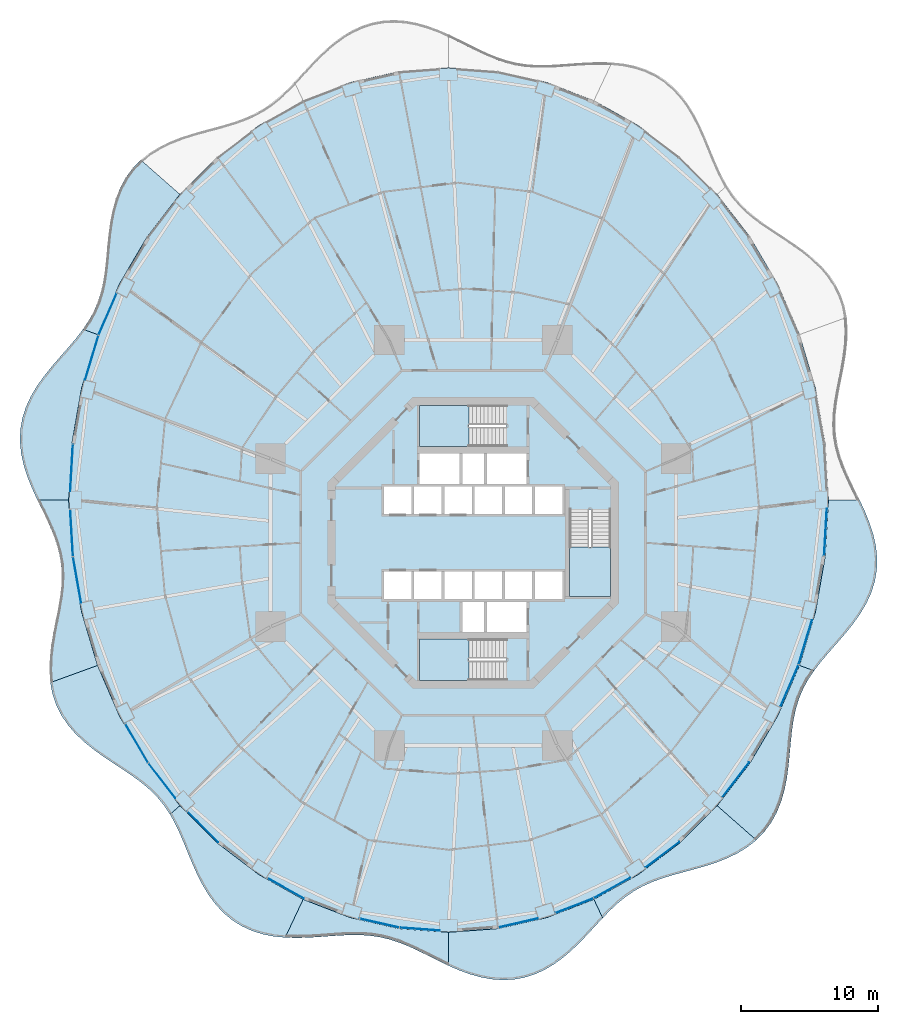
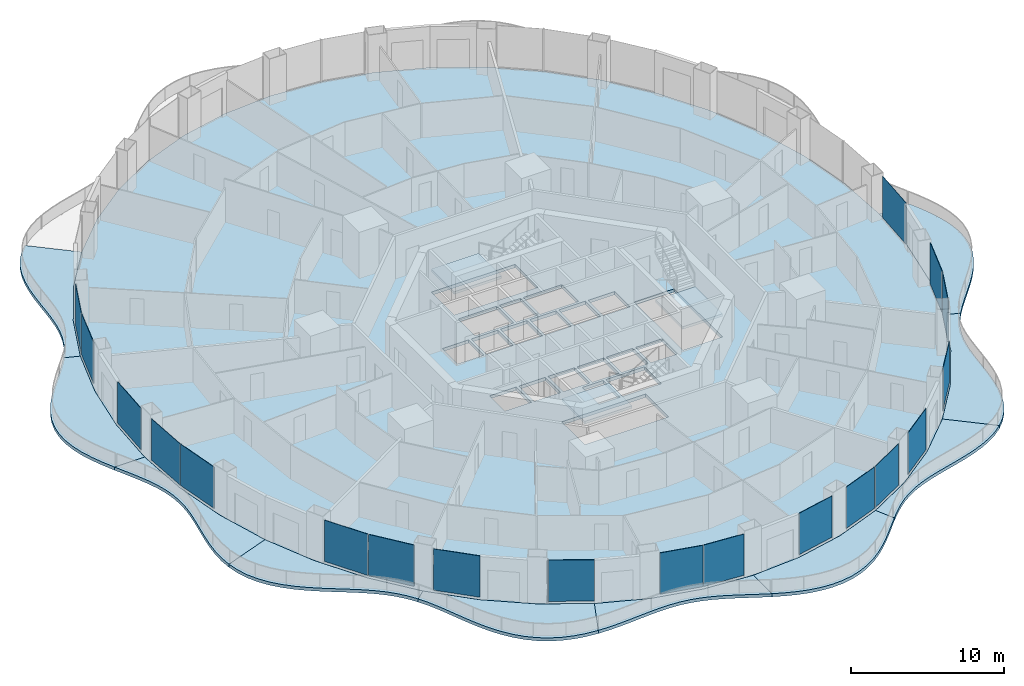
# One storey, part 12 of 22: 19 plates, 14 slabs, 22 elements without a shape of their own.
"""IFC4 building model written with IfcOpenShell, lengths in metres."""

from ifc_helpers import new_model, si_unit, direction, frame, origin, origin_2d, place, context, subcontext, project, spatial, polyline, rectangle, outline, extrude, material, layer, layer_set, type_object, element, aggregate, save


model = new_model("IFC4")

# Units and contexts
model_context = context("Model", 3, precision=1e-05, world=origin(), true_north=direction((0.0, 1.0)))
body_context = subcontext(model_context, "Body", "Model", "MODEL_VIEW")
ifc_project = project(units=[si_unit("LENGTHUNIT", "METRE"), si_unit("AREAUNIT", "SQUARE_METRE"), si_unit("VOLUMEUNIT", "CUBIC_METRE"), si_unit("PLANEANGLEUNIT", "RADIAN"), si_unit("MASSUNIT", "GRAM", prefix="KILO")], contexts=[model_context])

# Site, building, storey
site_placement = place(None, origin())
site = spatial("IfcSite", under=ifc_project, at=site_placement, CompositionType="ELEMENT")
building_placement = place(site_placement, origin())
building = spatial("IfcBuilding", under=site, at=building_placement, Name="Nagisa Residences", CompositionType="ELEMENT")
storey_placement = place(building_placement, frame((0.0, 0.0, 84.39990234375)))
storey = spatial("IfcBuildingStorey", under=building, at=storey_placement, Name="L20", CompositionType="ELEMENT", Elevation=84.39990234375)

# Slabs
ifc_material_1 = material(Name="Concrete C40/50", Category="concrete")
ifc_layer_1 = layer(ifc_material_1, 0.25)
ifc_layer_set_1 = layer_set([ifc_layer_1], Name="BALCONY SLAB 250")
slab_type_1 = type_object("IfcSlabType", Name="BALCONY SLAB 250", PredefinedType="FLOOR", material=ifc_layer_set_1)
slab_1_placement = place(storey_placement, frame((0.0, 0.0, -0.25)))
element("IfcSlab", 1, at=slab_1_placement, inside=storey, type_object=slab_type_1, Name="slab:L20:bal06", PredefinedType="FLOOR", context=body_context, shape_type="SweptSolid", body=[
    extrude(outline(polyline([(-24.234619140625, 27.90771484375), (-24.822265625, 27.30517578125), (-25.3212890625, 26.62890625), (-25.729248046875, 25.886962890625), (-26.048828125, 25.08984375), (-26.2880859375, 24.250732421875), (-26.459716796875, 23.384033203125), (-26.580078125, 22.504638671875), (-26.668701171875, 21.626708984375), (-26.746337890625, 20.762451171875), (-26.83447265625, 19.922607421875), (-26.952880859375, 19.113525390625), (-27.11865234375, 18.339599609375), (-27.3447265625, 17.601318359375), (-27.639892578125, 16.89599609375), (-28.006591796875, 16.21875), (-28.44189453125, 15.56201171875), (-27.386962890625, 15.177978515625), (-25.78466796875, 18.875244140625), (-23.77197265625, 22.302734375), (-21.38330078125, 25.402099609375), (-24.234619140625, 27.90771484375)])), origin(), (0.0, 0.0, 1.0), 0.25),
])
slab_2_placement = place(storey_placement, frame((0.0, 0.0, -0.25)))
element("IfcSlab", 2, at=slab_2_placement, inside=storey, type_object=slab_type_1, Name="slab:L20:bal07", PredefinedType="FLOOR", context=body_context, shape_type="SweptSolid", body=[
    extrude(outline(polyline([(-28.44189453125, 15.56201171875), (-28.95361328125, 14.896728515625), (-29.513916015625, 14.234130859375), (-30.102294921875, 13.564208984375), (-30.695068359375, 12.87841796875), (-31.266845703125, 12.169921875), (-31.7919921875, 11.433837890625), (-32.2470703125, 10.66845703125), (-32.611328125, 9.874267578125), (-32.869873046875, 9.054443359375), (-33.012939453125, 8.214111328125), (-33.038330078125, 7.360107421875), (-32.9501953125, 6.4990234375), (-32.759765625, 5.638671875), (-32.484130859375, 4.78515625), (-32.14453125, 3.94384765625), (-31.7666015625, 3.11767578125), (-29.4951171875, 3.11767578125), (-29.258056640625, 7.231201171875), (-28.55126953125, 11.2744140625), (-27.386962890625, 15.177978515625), (-28.44189453125, 15.56201171875)])), origin(), (0.0, 0.0, 1.0), 0.25),
])
slab_3_placement = place(storey_placement, frame((0.0, 0.0, -0.25)))
element("IfcSlab", 3, at=slab_3_placement, inside=storey, type_object=slab_type_1, Name="slab:L20:bal08", PredefinedType="FLOOR", context=body_context, shape_type="SweptSolid", body=[
    extrude(outline(polyline([(-31.7666015625, 3.11767578125), (-31.3759765625, 2.30810546875), (-30.99951171875, 1.513916015625), (-30.660400390625, 0.732177734375), (-30.379150390625, -0.042236328125), (-30.170166015625, -0.8154296875), (-30.042236328125, -1.593505859375), (-29.996826171875, -2.383056640625), (-30.028564453125, -3.189453125), (-30.1259765625, -4.01611328125), (-30.271240234375, -4.864990234375), (-30.442626953125, -5.734619140625), (-30.615478515625, -6.6220703125), (-30.763916015625, -7.520751953125), (-30.863037109375, -8.42236328125), (-30.89013671875, -9.3173828125), (-30.82666015625, -10.19482421875), (-27.386962890625, -8.942626953125), (-28.55126953125, -5.0390625), (-29.258056640625, -0.995849609375), (-29.4951171875, 3.11767578125), (-31.7666015625, 3.11767578125)])), origin(), (0.0, 0.0, 1.0), 0.25),
])
slab_4_placement = place(storey_placement, frame((0.0, 0.0, -0.25)))
element("IfcSlab", 4, at=slab_4_placement, inside=storey, type_object=slab_type_1, Name="slab:L20:bal09", PredefinedType="FLOOR", context=body_context, shape_type="SweptSolid", body=[
    extrude(outline(polyline([(-30.82666015625, -10.19482421875), (-30.66650390625, -11.018310546875), (-30.40283203125, -11.806396484375), (-30.034423828125, -12.552001953125), (-29.56689453125, -13.25), (-29.0107421875, -13.898193359375), (-28.380615234375, -14.497802734375), (-27.695556640625, -15.052978515625), (-26.975830078125, -15.57080078125), (-26.243408203125, -16.061767578125), (-25.518310546875, -16.537841796875), (-24.820068359375, -17.012451171875), (-24.1630859375, -17.499267578125), (-23.559326171875, -18.01123046875), (-23.01416015625, -18.559814453125), (-22.529296875, -19.1533203125), (-22.099853515625, -19.79638671875), (-21.38330078125, -19.166748046875), (-23.77197265625, -16.0673828125), (-25.78466796875, -12.639892578125), (-27.386962890625, -8.942626953125), (-30.82666015625, -10.19482421875)])), origin(), (0.0, 0.0, 1.0), 0.25),
])
slab_5_placement = place(storey_placement, frame((0.0, 0.0, -0.25)))
element("IfcSlab", 5, at=slab_5_placement, inside=storey, type_object=slab_type_1, Name="slab:L20:bal10", PredefinedType="FLOOR", context=body_context, shape_type="SweptSolid", body=[
    extrude(outline(polyline([(-22.099853515625, -19.79638671875), (-21.734375, -20.456787109375), (-21.40087890625, -21.159912109375), (-21.08544921875, -21.8994140625), (-20.7734375, -22.664794921875), (-20.449951171875, -23.443359375), (-20.099609375, -24.2197265625), (-19.7099609375, -24.977294921875), (-19.26953125, -25.698486328125), (-18.77099609375, -26.36767578125), (-18.2099609375, -26.969482421875), (-17.58544921875, -27.492431640625), (-16.900390625, -27.927978515625), (-16.16064453125, -28.271728515625), (-15.374755859375, -28.52392578125), (-14.553466796875, -28.689453125), (-13.70849609375, -28.77783203125), (-12.3984375, -25.998291015625), (-15.6474609375, -24.175048828125), (-18.65966796875, -21.884765625), (-21.38330078125, -19.166748046875), (-22.099853515625, -19.79638671875)])), origin(), (0.0, 0.0, 1.0), 0.25),
])
slab_6_placement = place(storey_placement, frame((0.0, 0.0, -0.25)))
element("IfcSlab", 6, at=slab_6_placement, inside=storey, type_object=slab_type_1, Name="slab:L20:bal11", PredefinedType="FLOOR", context=body_context, shape_type="SweptSolid", body=[
    extrude(outline(polyline([(-13.70849609375, -28.77783203125), (-12.88232421875, -28.802001953125), (-12.055419921875, -28.781494140625), (-11.236083984375, -28.732421875), (-10.431640625, -28.672607421875), (-9.6474609375, -28.619384765625), (-8.8857421875, -28.589111328125), (-8.146728515625, -28.595947265625), (-7.4287109375, -28.65087890625), (-6.727783203125, -28.76171875), (-6.0380859375, -28.93115234375), (-5.353759765625, -29.158447265625), (-4.667724609375, -29.437744140625), (-3.97412109375, -29.7587890625), (-3.26708984375, -30.1083984375), (-2.543212890625, -30.47021484375), (-1.800048828125, -30.825927734375), (-1.800048828125, -28.397216796875), (-5.4150390625, -28.127685546875), (-8.968017578125, -27.323486328125), (-12.3984375, -25.998291015625), (-13.70849609375, -28.77783203125)])), origin(), (0.0, 0.0, 1.0), 0.25),
])
slab_7_placement = place(storey_placement, frame((0.0, 0.0, -0.25)))
element("IfcSlab", 7, at=slab_7_placement, inside=storey, type_object=slab_type_1, Name="slab:L20:bal12", PredefinedType="FLOOR", context=body_context, shape_type="SweptSolid", body=[
    extrude(outline(polyline([(-1.800048828125, -30.825927734375), (-1.03759765625, -31.156005859375), (-0.2578125, -31.44189453125), (0.535400390625, -31.666259765625), (1.3359375, -31.813720703125), (2.13720703125, -31.872314453125), (2.931396484375, -31.834716796875), (3.710693359375, -31.697021484375), (4.46826171875, -31.46044921875), (5.19775390625, -31.13037109375), (5.89501953125, -30.716796875), (6.557373046875, -30.232666015625), (7.185546875, -29.694091796875), (7.781494140625, -29.118408203125), (8.350341796875, -28.52392578125), (8.898681640625, -27.928955078125), (9.435302734375, -27.349609375), (8.79833984375, -25.998291015625), (5.367919921875, -27.323486328125), (1.81494140625, -28.127685546875), (-1.800048828125, -28.397216796875), (-1.800048828125, -30.825927734375)])), origin(), (0.0, 0.0, 1.0), 0.25),
])
slab_8_placement = place(storey_placement, frame((0.0, 0.0, -0.25)))
element("IfcSlab", 8, at=slab_8_placement, inside=storey, type_object=slab_type_1, Name="slab:L20:bal13", PredefinedType="FLOOR", context=body_context, shape_type="SweptSolid", body=[
    extrude(outline(polyline([(9.435302734375, -27.349609375), (9.989501953125, -26.781005859375), (10.552001953125, -26.257568359375), (11.1328125, -25.78759765625), (11.7412109375, -25.37548828125), (12.384033203125, -25.019775390625), (13.06494140625, -24.7158203125), (13.78515625, -24.4541015625), (14.54150390625, -24.222412109375), (15.327880859375, -24.00634765625), (16.134765625, -23.789306640625), (16.949951171875, -23.5556640625), (17.75927734375, -23.289794921875), (18.54736328125, -22.97802734375), (19.298583984375, -22.609130859375), (19.99853515625, -22.17529296875), (20.634521484375, -21.67236328125), (17.783203125, -19.166748046875), (15.0595703125, -21.884765625), (12.047607421875, -24.175048828125), (8.79833984375, -25.998291015625), (9.435302734375, -27.349609375)])), origin(), (0.0, 0.0, 1.0), 0.25),
])
slab_9_placement = place(storey_placement, frame((0.0, 0.0, -0.25)))
element("IfcSlab", 9, at=slab_9_placement, inside=storey, type_object=slab_type_1, Name="slab:L20:bal14", PredefinedType="FLOOR", context=body_context, shape_type="SweptSolid", body=[
    extrude(outline(polyline([(20.634521484375, -21.67236328125), (21.22216796875, -21.069580078125), (21.72119140625, -20.3935546875), (22.129150390625, -19.651611328125), (22.44873046875, -18.8544921875), (22.68798828125, -18.015380859375), (22.859619140625, -17.148681640625), (22.97998046875, -16.269287109375), (23.068603515625, -15.391357421875), (23.146484375, -14.527099609375), (23.234619140625, -13.68701171875), (23.35302734375, -12.878173828125), (23.5185546875, -12.104248046875), (23.744873046875, -11.365966796875), (24.039794921875, -10.66064453125), (24.406494140625, -9.9833984375), (24.841796875, -9.32666015625), (23.786865234375, -8.942626953125), (22.1845703125, -12.639892578125), (20.171875, -16.0673828125), (17.783203125, -19.166748046875), (20.634521484375, -21.67236328125)])), origin(), (0.0, 0.0, 1.0), 0.25),
])
slab_10_placement = place(storey_placement, frame((0.0, 0.0, -0.25)))
element("IfcSlab", 10, at=slab_10_placement, inside=storey, type_object=slab_type_1, Name="slab:L20:bal15", PredefinedType="FLOOR", context=body_context, shape_type="SweptSolid", body=[
    extrude(outline(polyline([(24.841796875, -9.32666015625), (25.353759765625, -8.661376953125), (25.913818359375, -7.998779296875), (26.502197265625, -7.328857421875), (27.094970703125, -6.64306640625), (27.666748046875, -5.9345703125), (28.192138671875, -5.198486328125), (28.64697265625, -4.43310546875), (29.01123046875, -3.638916015625), (29.269775390625, -2.819091796875), (29.412841796875, -1.978759765625), (29.438232421875, -1.12451171875), (29.350341796875, -0.263671875), (29.159912109375, 0.5966796875), (28.884033203125, 1.4501953125), (28.544677734375, 2.291748046875), (28.16650390625, 3.11767578125), (25.89501953125, 3.11767578125), (25.657958984375, -0.995849609375), (24.951416015625, -5.0390625), (23.786865234375, -8.942626953125), (24.841796875, -9.32666015625)])), origin(), (0.0, 0.0, 1.0), 0.25),
])

# Curtain wall, plate
ifc_material_2 = material(Name="Concrete-coloured aluminium curtain wall system", Category="concrete")
ifc_layer_2 = layer(ifc_material_2, 0.159912109375)
ifc_layer_set_2 = layer_set([ifc_layer_2], Name="CW1 CURTAIN WALL")
curtain_wall_type = type_object("IfcCurtainWallType", Name="CW1 CURTAIN WALL", PredefinedType="NOTDEFINED", material=ifc_layer_set_2)
curtain_wall_1_placement = place(storey_placement, origin())
curtain_wall_1 = element("IfcCurtainWall", 11, at=curtain_wall_1_placement, inside=storey, type_object=curtain_wall_type, Name="cw:CW1:L20:20", PredefinedType="NOTDEFINED")
ifc_material_3 = material(Name="Clear laminated glass", Category="glass")
ifc_layer_3 = layer(ifc_material_3, 0.028076171875)
ifc_layer_set_3 = layer_set([ifc_layer_3], Name="CW1 GLASS PANEL")
plate_type = type_object("IfcPlateType", Name="CW1 GLASS PANEL", PredefinedType="CURTAIN_PANEL", material=ifc_layer_set_3)
plate_1_placement = place(storey_placement, frame((-26.653564453125, 16.6689453125, 0.150146484375), z_axis=(0.0, 0.0, 1.0), x_axis=(-0.397635934147, -0.917543276295, 0.0)))
plate_1 = element("IfcPlate", 12, at=plate_1_placement, type_object=plate_type, Name="CW1 panel", PredefinedType="CURTAIN_PANEL", context=body_context, shape_type="SweptSolid", body=[
    extrude(rectangle(XDim=3.319580078125, YDim=0.028076171875, at=origin_2d()), origin(), (0.0, 0.0, 1.0), 3.2900390625),
])
aggregate(curtain_wall_1, [plate_1])

curtain_wall_2_placement = place(storey_placement, origin())
curtain_wall_2 = element("IfcCurtainWall", 13, at=curtain_wall_2_placement, inside=storey, type_object=curtain_wall_type, Name="cw:CW1:L20:21", PredefinedType="NOTDEFINED")
plate_2_placement = place(storey_placement, frame((-27.80810546875, 13.486083984375, 0.150146484375), z_axis=(0.0, 0.0, 1.0), x_axis=(-0.285860274038, -0.958271310082, 0.0)))
plate_2 = element("IfcPlate", 14, at=plate_2_placement, type_object=plate_type, Name="CW1 panel", PredefinedType="CURTAIN_PANEL", context=body_context, shape_type="SweptSolid", body=[
    extrude(rectangle(XDim=3.363525390625, YDim=0.028076171875, at=origin_2d()), origin(), (0.0, 0.0, 1.0), 3.2900390625),
])
aggregate(curtain_wall_2, [plate_2])

curtain_wall_3_placement = place(storey_placement, origin())
curtain_wall_3 = element("IfcCurtainWall", 15, at=curtain_wall_3_placement, inside=storey, type_object=curtain_wall_type, Name="cw:CW1:L20:23", PredefinedType="NOTDEFINED")
plate_3_placement = place(storey_placement, frame((-29.27978515625, 5.46435546875, 0.150146484375), z_axis=(0.0, 0.0, 1.0), x_axis=(-0.057503492216, -0.998345305184, 0.0)))
plate_3 = element("IfcPlate", 16, at=plate_3_placement, type_object=plate_type, Name="CW1 panel", PredefinedType="CURTAIN_PANEL", context=body_context, shape_type="SweptSolid", body=[
    extrude(rectangle(XDim=3.410400390625, YDim=0.028076171875, at=origin_2d()), origin(), (0.0, 0.0, 1.0), 3.2900390625),
])
aggregate(curtain_wall_3, [plate_3])

curtain_wall_4_placement = place(storey_placement, origin())
curtain_wall_4 = element("IfcCurtainWall", 17, at=curtain_wall_4_placement, inside=storey, type_object=curtain_wall_type, Name="cw:CW1:L20:24", PredefinedType="NOTDEFINED")
plate_4_placement = place(storey_placement, frame((-29.2763671875, 0.711181640625, 0.150146484375), z_axis=(0.0, 0.0, 1.0), x_axis=(0.057503492216, -0.998345305184, 0.0)))
plate_4 = element("IfcPlate", 18, at=plate_4_placement, type_object=plate_type, Name="CW1 panel", PredefinedType="CURTAIN_PANEL", context=body_context, shape_type="SweptSolid", body=[
    extrude(rectangle(XDim=3.410400390625, YDim=0.028076171875, at=origin_2d()), origin(), (0.0, 0.0, 1.0), 3.2900390625),
])
aggregate(curtain_wall_4, [plate_4])

curtain_wall_5_placement = place(storey_placement, origin())
curtain_wall_5 = element("IfcCurtainWall", 19, at=curtain_wall_5_placement, inside=storey, type_object=curtain_wall_type, Name="cw:CW1:L20:25", PredefinedType="NOTDEFINED")
plate_5_placement = place(storey_placement, frame((-28.876708984375, -2.713134765625, 0.150146484375), z_axis=(0.0, 0.0, 1.0), x_axis=(0.172190868898, -0.985063604377, 0.0)))
plate_5 = element("IfcPlate", 20, at=plate_5_placement, type_object=plate_type, Name="CW1 panel", PredefinedType="CURTAIN_PANEL", context=body_context, shape_type="SweptSolid", body=[
    extrude(rectangle(XDim=3.39453125, YDim=0.028076171875, at=origin_2d()), origin(), (0.0, 0.0, 1.0), 3.2900390625),
])
aggregate(curtain_wall_5, [plate_5])

curtain_wall_6_placement = place(storey_placement, origin())
curtain_wall_6 = element("IfcCurtainWall", 21, at=curtain_wall_6_placement, inside=storey, type_object=curtain_wall_type, Name="cw:CW1:L20:28", PredefinedType="NOTDEFINED")
plate_6_placement = place(storey_placement, frame((-24.529541015625, -14.619140625, 0.150146484375), z_axis=(0.0, 0.0, 1.0), x_axis=(0.506348567002, -0.862328898214, 0.0)))
plate_6 = element("IfcPlate", 22, at=plate_6_placement, type_object=plate_type, Name="CW1 panel", PredefinedType="CURTAIN_PANEL", context=body_context, shape_type="SweptSolid", body=[
    extrude(rectangle(XDim=3.264892578125, YDim=0.028076171875, at=origin_2d()), origin(), (0.0, 0.0, 1.0), 3.2900390625),
])
aggregate(curtain_wall_6, [plate_6])

curtain_wall_7_placement = place(storey_placement, origin())
curtain_wall_7 = element("IfcCurtainWall", 23, at=curtain_wall_7_placement, inside=storey, type_object=curtain_wall_type, Name="cw:CW1:L20:29", PredefinedType="NOTDEFINED")
plate_7_placement = place(storey_placement, frame((-22.6943359375, -17.334716796875, 0.150146484375), z_axis=(0.0, 0.0, 1.0), x_axis=(0.610429828235, -0.792070340816, 0.0)))
plate_7 = element("IfcPlate", 24, at=plate_7_placement, type_object=plate_type, Name="CW1 panel", PredefinedType="CURTAIN_PANEL", context=body_context, shape_type="SweptSolid", body=[
    extrude(rectangle(XDim=3.202880859375, YDim=0.028076171875, at=origin_2d()), origin(), (0.0, 0.0, 1.0), 3.2900390625),
])
aggregate(curtain_wall_7, [plate_7])

curtain_wall_8_placement = place(storey_placement, origin())
curtain_wall_8 = element("IfcCurtainWall", 25, at=curtain_wall_8_placement, inside=storey, type_object=curtain_wall_type, Name="cw:CW1:L20:30", PredefinedType="NOTDEFINED")
plate_8_placement = place(storey_placement, frame((-19.713623046875, -20.719970703125, 0.150146484375), z_axis=(0.0, 0.0, 1.0), x_axis=(0.707835924016, -0.706376885714, 0.0)))
plate_8 = element("IfcPlate", 26, at=plate_8_placement, type_object=plate_type, Name="CW1 panel", PredefinedType="CURTAIN_PANEL", context=body_context, shape_type="SweptSolid", body=[
    extrude(rectangle(XDim=3.137939453125, YDim=0.028076171875, at=origin_2d()), origin(), (0.0, 0.0, 1.0), 3.2900390625),
])
aggregate(curtain_wall_8, [plate_8])

curtain_wall_9_placement = place(storey_placement, origin())
curtain_wall_9 = element("IfcCurtainWall", 27, at=curtain_wall_9_placement, inside=storey, type_object=curtain_wall_type, Name="cw:CW1:L20:32", PredefinedType="NOTDEFINED")
plate_9_placement = place(storey_placement, frame((-13.67431640625, -25.190673828125, 0.150146484375), z_axis=(0.0, 0.0, 1.0), x_axis=(0.872072377523, -0.489376918501, 0.0)))
plate_9 = element("IfcPlate", 28, at=plate_9_placement, type_object=plate_type, Name="CW1 panel", PredefinedType="CURTAIN_PANEL", context=body_context, shape_type="SweptSolid", body=[
    extrude(rectangle(XDim=3.015625, YDim=0.028076171875, at=origin_2d()), origin(), (0.0, 0.0, 1.0), 3.2900390625),
])
aggregate(curtain_wall_9, [plate_9])

curtain_wall_10_placement = place(storey_placement, origin())
curtain_wall_10 = element("IfcCurtainWall", 29, at=curtain_wall_10_placement, inside=storey, type_object=curtain_wall_type, Name="cw:CW1:L20:34", PredefinedType="NOTDEFINED")
plate_10_placement = place(storey_placement, frame((-6.82763671875, -27.725830078125, 0.150146484375), z_axis=(0.0, 0.0, 1.0), x_axis=(0.975327274089, -0.2207639201, 0.0)))
plate_10 = element("IfcPlate", 30, at=plate_10_placement, type_object=plate_type, Name="CW1 panel", PredefinedType="CURTAIN_PANEL", context=body_context, shape_type="SweptSolid", body=[
    extrude(rectangle(XDim=2.932861328125, YDim=0.028076171875, at=origin_2d()), origin(), (0.0, 0.0, 1.0), 3.2900390625),
])
aggregate(curtain_wall_10, [plate_10])

curtain_wall_11_placement = place(storey_placement, origin())
curtain_wall_11 = element("IfcCurtainWall", 31, at=curtain_wall_11_placement, inside=storey, type_object=curtain_wall_type, Name="cw:CW1:L20:35", PredefinedType="NOTDEFINED")
plate_11_placement = place(storey_placement, frame((-3.895751953125, -28.160888671875, 0.150146484375), z_axis=(0.0, 0.0, 1.0), x_axis=(0.997230168512, -0.074377355493, 0.0)))
plate_11 = element("IfcPlate", 32, at=plate_11_placement, type_object=plate_type, Name="CW1 panel", PredefinedType="CURTAIN_PANEL", context=body_context, shape_type="SweptSolid", body=[
    extrude(rectangle(XDim=2.9150390625, YDim=0.028076171875, at=origin_2d()), origin(), (0.0, 0.0, 1.0), 3.2900390625),
])
aggregate(curtain_wall_11, [plate_11])

curtain_wall_12_placement = place(storey_placement, origin())
curtain_wall_12 = element("IfcCurtainWall", 33, at=curtain_wall_12_placement, inside=storey, type_object=curtain_wall_type, Name="cw:CW1:L20:37", PredefinedType="NOTDEFINED")
plate_12_placement = place(storey_placement, frame((3.2861328125, -27.712646484375, 0.150146484375), z_axis=(0.0, 0.0, 1.0), x_axis=(0.975327274089, 0.2207639201, 0.0)))
plate_12 = element("IfcPlate", 34, at=plate_12_placement, type_object=plate_type, Name="CW1 panel", PredefinedType="CURTAIN_PANEL", context=body_context, shape_type="SweptSolid", body=[
    extrude(rectangle(XDim=2.932861328125, YDim=0.028076171875, at=origin_2d()), origin(), (0.0, 0.0, 1.0), 3.2900390625),
])
aggregate(curtain_wall_12, [plate_12])

curtain_wall_13_placement = place(storey_placement, origin())
curtain_wall_13 = element("IfcCurtainWall", 35, at=curtain_wall_13_placement, inside=storey, type_object=curtain_wall_type, Name="cw:CW1:L20:38", PredefinedType="NOTDEFINED")
plate_13_placement = place(storey_placement, frame((7.385498046875, -26.45849609375, 0.150146484375), z_axis=(0.0, 0.0, 1.0), x_axis=(0.932825759707, 0.360327770268, 0.0)))
plate_13 = element("IfcPlate", 36, at=plate_13_placement, type_object=plate_type, Name="CW1 panel", PredefinedType="CURTAIN_PANEL", context=body_context, shape_type="SweptSolid", body=[
    extrude(rectangle(XDim=2.967529296875, YDim=0.028076171875, at=origin_2d()), origin(), (0.0, 0.0, 1.0), 3.2900390625),
])
aggregate(curtain_wall_13, [plate_13])

curtain_wall_14_placement = place(storey_placement, origin())
curtain_wall_14 = element("IfcCurtainWall", 37, at=curtain_wall_14_placement, inside=storey, type_object=curtain_wall_type, Name="cw:CW1:L20:39", PredefinedType="NOTDEFINED")
plate_14_placement = place(storey_placement, frame((10.12646484375, -25.161376953125, 0.150146484375), z_axis=(0.0, 0.0, 1.0), x_axis=(0.872072377523, 0.489376918501, 0.0)))
plate_14 = element("IfcPlate", 38, at=plate_14_placement, type_object=plate_type, Name="CW1 panel", PredefinedType="CURTAIN_PANEL", context=body_context, shape_type="SweptSolid", body=[
    extrude(rectangle(XDim=3.015625, YDim=0.028076171875, at=origin_2d()), origin(), (0.0, 0.0, 1.0), 3.2900390625),
])
aggregate(curtain_wall_14, [plate_14])

curtain_wall_15_placement = place(storey_placement, origin())
curtain_wall_15 = element("IfcCurtainWall", 39, at=curtain_wall_15_placement, inside=storey, type_object=curtain_wall_type, Name="cw:CW1:L20:40", PredefinedType="NOTDEFINED")
plate_15_placement = place(storey_placement, frame((13.787841796875, -22.75146484375, 0.150146484375), z_axis=(0.0, 0.0, 1.0), x_axis=(0.79603132756, 0.605255421737, 0.0)))
plate_15 = element("IfcPlate", 40, at=plate_15_placement, type_object=plate_type, Name="CW1 panel", PredefinedType="CURTAIN_PANEL", context=body_context, shape_type="SweptSolid", body=[
    extrude(rectangle(XDim=3.073974609375, YDim=0.028076171875, at=origin_2d()), origin(), (0.0, 0.0, 1.0), 3.2900390625),
])
aggregate(curtain_wall_15, [plate_15])

curtain_wall_16_placement = place(storey_placement, origin())
curtain_wall_16 = element("IfcCurtainWall", 41, at=curtain_wall_16_placement, inside=storey, type_object=curtain_wall_type, Name="cw:CW1:L20:42", PredefinedType="NOTDEFINED")
plate_16_placement = place(storey_placement, frame((19.130859375, -17.287109375, 0.150146484375), z_axis=(0.0, 0.0, 1.0), x_axis=(0.610429828235, 0.792070340816, 0.0)))
plate_16 = element("IfcPlate", 42, at=plate_16_placement, type_object=plate_type, Name="CW1 panel", PredefinedType="CURTAIN_PANEL", context=body_context, shape_type="SweptSolid", body=[
    extrude(rectangle(XDim=3.202880859375, YDim=0.028076171875, at=origin_2d()), origin(), (0.0, 0.0, 1.0), 3.2900390625),
])
aggregate(curtain_wall_16, [plate_16])

curtain_wall_17_placement = place(storey_placement, origin())
curtain_wall_17 = element("IfcCurtainWall", 43, at=curtain_wall_17_placement, inside=storey, type_object=curtain_wall_type, Name="cw:CW1:L20:44", PredefinedType="NOTDEFINED")
plate_17_placement = place(storey_placement, frame((23.053466796875, -10.43359375, 0.150146484375), z_axis=(0.0, 0.0, 1.0), x_axis=(0.397635934147, 0.917543276295, 0.0)))
plate_17 = element("IfcPlate", 44, at=plate_17_placement, type_object=plate_type, Name="CW1 panel", PredefinedType="CURTAIN_PANEL", context=body_context, shape_type="SweptSolid", body=[
    extrude(rectangle(XDim=3.319580078125, YDim=0.028076171875, at=origin_2d()), origin(), (0.0, 0.0, 1.0), 3.2900390625),
])
aggregate(curtain_wall_17, [plate_17])

curtain_wall_18_placement = place(storey_placement, origin())
curtain_wall_18 = element("IfcCurtainWall", 45, at=curtain_wall_18_placement, inside=storey, type_object=curtain_wall_type, Name="cw:CW1:L20:45", PredefinedType="NOTDEFINED")
plate_18_placement = place(storey_placement, frame((24.2080078125, -7.25048828125, 0.150146484375), z_axis=(0.0, 0.0, 1.0), x_axis=(0.285860274038, 0.958271310082, 0.0)))
plate_18 = element("IfcPlate", 46, at=plate_18_placement, type_object=plate_type, Name="CW1 panel", PredefinedType="CURTAIN_PANEL", context=body_context, shape_type="SweptSolid", body=[
    extrude(rectangle(XDim=3.363525390625, YDim=0.028076171875, at=origin_2d()), origin(), (0.0, 0.0, 1.0), 3.2900390625),
])
aggregate(curtain_wall_18, [plate_18])

curtain_wall_19_placement = place(storey_placement, origin())
curtain_wall_19 = element("IfcCurtainWall", 47, at=curtain_wall_19_placement, inside=storey, type_object=curtain_wall_type, Name="cw:CW1:L20:47", PredefinedType="NOTDEFINED")
plate_19_placement = place(storey_placement, frame((25.6796875, 0.77099609375, 0.150146484375), z_axis=(0.0, 0.0, 1.0), x_axis=(0.057503492216, 0.998345305184, 0.0)))
plate_19 = element("IfcPlate", 48, at=plate_19_placement, type_object=plate_type, Name="CW1 panel", PredefinedType="CURTAIN_PANEL", context=body_context, shape_type="SweptSolid", body=[
    extrude(rectangle(XDim=3.410400390625, YDim=0.028076171875, at=origin_2d()), origin(), (0.0, 0.0, 1.0), 3.2900390625),
])
aggregate(curtain_wall_19, [plate_19])

# Slab
ifc_material_4 = material(Name="Concrete C40", Category="concrete")
ifc_layer_4 = layer(ifc_material_4, 0.260009765625)
ifc_layer_set_4 = layer_set([ifc_layer_4], Name="Floor slab 260")
slab_type_2 = type_object("IfcSlabType", Name="Floor slab 260", PredefinedType="FLOOR", material=ifc_layer_set_4)
slab_11_placement = place(storey_placement, frame((0.0, 0.0, -0.260009765625)))
element("IfcSlab", 49, at=slab_11_placement, inside=storey, type_object=slab_type_2, Name="slab:L20:floor", PredefinedType="FLOOR", context=body_context, shape_type="SweptSolid", body=[
    extrude(outline(polyline([(25.89501953125, 3.11767578125), (25.657958984375, 7.231201171875), (24.951416015625, 11.2744140625), (23.786865234375, 15.177978515625), (22.1845703125, 18.875244140625), (20.171875, 22.302734375), (17.783203125, 25.402099609375), (15.0595703125, 28.1201171875), (12.047607421875, 30.410400390625), (8.79833984375, 32.233642578125), (5.367919921875, 33.558837890625), (1.81494140625, 34.363037109375), (-1.800048828125, 34.6328125), (-5.4150390625, 34.363037109375), (-8.968017578125, 33.558837890625), (-12.3984375, 32.233642578125), (-15.6474609375, 30.410400390625), (-18.65966796875, 28.1201171875), (-21.38330078125, 25.402099609375), (-23.77197265625, 22.302734375), (-25.78466796875, 18.875244140625), (-27.386962890625, 15.177978515625), (-28.55126953125, 11.2744140625), (-29.258056640625, 7.231201171875), (-29.4951171875, 3.11767578125), (-29.258056640625, -0.995849609375), (-28.55126953125, -5.0390625), (-27.386962890625, -8.942626953125), (-25.78466796875, -12.639892578125), (-23.77197265625, -16.0673828125), (-21.38330078125, -19.166748046875), (-18.65966796875, -21.884765625), (-15.6474609375, -24.175048828125), (-12.3984375, -25.998291015625), (-8.968017578125, -27.323486328125), (-5.4150390625, -28.127685546875), (-1.800048828125, -28.397216796875), (1.81494140625, -28.127685546875), (5.367919921875, -27.323486328125), (8.79833984375, -25.998291015625), (12.047607421875, -24.175048828125), (15.0595703125, -21.884765625), (17.783203125, -19.166748046875), (20.171875, -16.0673828125), (22.1845703125, -12.639892578125), (23.786865234375, -8.942626953125), (24.951416015625, -5.0390625), (25.657958984375, -0.995849609375), (25.89501953125, 3.11767578125)]), holes=[polyline([(-4.5, 2.10009765625), (-4.5, 4.10009765625), (-6.5, 4.10009765625), (-6.5, 2.10009765625), (-4.5, 2.10009765625)]), polyline([(-2.300048828125, 2.10009765625), (-2.300048828125, 4.10009765625), (-4.300048828125, 4.10009765625), (-4.300048828125, 2.10009765625), (-2.300048828125, 2.10009765625)]), polyline([(-0.10009765625, 2.10009765625), (-0.10009765625, 4.10009765625), (-2.10009765625, 4.10009765625), (-2.10009765625, 2.10009765625), (-0.10009765625, 2.10009765625)]), polyline([(2.10009765625, 2.10009765625), (2.10009765625, 4.10009765625), (0.10009765625, 4.10009765625), (0.10009765625, 2.10009765625), (2.10009765625, 2.10009765625)]), polyline([(4.300048828125, 2.10009765625), (4.300048828125, 4.10009765625), (2.300048828125, 4.10009765625), (2.300048828125, 2.10009765625), (4.300048828125, 2.10009765625)]), polyline([(6.5, 2.10009765625), (6.5, 4.10009765625), (4.5, 4.10009765625), (4.5, 2.10009765625), (6.5, 2.10009765625)]), polyline([(-4.5, -4.10009765625), (-4.5, -2.10009765625), (-6.5, -2.10009765625), (-6.5, -4.10009765625), (-4.5, -4.10009765625)]), polyline([(-2.300048828125, -4.10009765625), (-2.300048828125, -2.10009765625), (-4.300048828125, -2.10009765625), (-4.300048828125, -4.10009765625), (-2.300048828125, -4.10009765625)]), polyline([(-0.10009765625, -4.10009765625), (-0.10009765625, -2.10009765625), (-2.10009765625, -2.10009765625), (-2.10009765625, -4.10009765625), (-0.10009765625, -4.10009765625)]), polyline([(2.10009765625, -4.10009765625), (2.10009765625, -2.10009765625), (0.10009765625, -2.10009765625), (0.10009765625, -4.10009765625), (2.10009765625, -4.10009765625)]), polyline([(4.300048828125, -4.10009765625), (4.300048828125, -2.10009765625), (2.300048828125, -2.10009765625), (2.300048828125, -4.10009765625), (4.300048828125, -4.10009765625)]), polyline([(6.5, -4.10009765625), (6.5, -2.10009765625), (4.5, -2.10009765625), (4.5, -4.10009765625), (6.5, -4.10009765625)]), polyline([(3.89990234375, 4.300048828125), (3.89990234375, 6.5), (1.0, 6.5), (1.0, 4.300048828125), (3.89990234375, 4.300048828125)]), polyline([(3.89990234375, -6.5), (3.89990234375, -4.300048828125), (1.0, -4.300048828125), (1.0, -6.5), (3.89990234375, -6.5)]), polyline([(-1.0, 4.300048828125), (-1.0, 6.5), (-3.89990234375, 6.5), (-3.89990234375, 4.300048828125), (-1.0, 4.300048828125)]), polyline([(0.800048828125, 4.300048828125), (0.800048828125, 6.5), (-0.800048828125, 6.5), (-0.800048828125, 4.300048828125), (0.800048828125, 4.300048828125)]), polyline([(0.800048828125, -6.5), (0.800048828125, -4.300048828125), (-0.800048828125, -4.300048828125), (-0.800048828125, -6.5), (0.800048828125, -6.5)]), polyline([(10.024658203125, -3.89990234375), (7.024658203125, -3.89990234375), (7.024658203125, 2.425048828125), (10.024658203125, 2.425048828125), (10.024658203125, -3.89990234375)]), polyline([(-3.89990234375, 7.024658203125), (-3.89990234375, 10.024658203125), (2.425048828125, 10.024658203125), (2.425048828125, 7.024658203125), (-3.89990234375, 7.024658203125)]), polyline([(-3.89990234375, -10.024658203125), (-3.89990234375, -7.024658203125), (2.425048828125, -7.024658203125), (2.425048828125, -10.024658203125), (-3.89990234375, -10.024658203125)])]), origin(), (0.0, 0.0, 1.0), 0.260009765625),
])

# Stair, slab
ifc_material_5 = material(Name="Concrete C60", Category="concrete")
stair_type = type_object("IfcStairType", Name="Exit stair", PredefinedType="HALF_TURN_STAIR", material=ifc_material_5)
stair_1_placement = place(storey_placement, origin())
stair_1 = element("IfcStair", 50, at=stair_1_placement, inside=storey, type_object=stair_type, Name="L20 Exit stair E", PredefinedType="HALF_TURN_STAIR")
ifc_material_6 = material(Name="Concrete C60", Category="concrete")
ifc_layer_5 = layer(ifc_material_6, 0.199951171875)
ifc_layer_set_5 = layer_set([ifc_layer_5], Name="Stair landing")
slab_type_3 = type_object("IfcSlabType", Name="Stair landing", PredefinedType="LANDING", material=ifc_layer_set_5)
slab_12_placement = place(storey_placement, frame((0.0, 0.0, 1.650146484375)))
slab_12 = element("IfcSlab", 51, at=slab_12_placement, type_object=slab_type_3, Name="ST-E landing 1", PredefinedType="LANDING", context=body_context, shape_type="SweptSolid", body=[
    extrude(outline(polyline([(7.024658203125, -0.324951171875), (7.024658203125, -3.89990234375), (10.024658203125, -3.89990234375), (10.024658203125, -0.324951171875), (7.024658203125, -0.324951171875)])), origin(), (0.0, 0.0, 1.0), 0.199951171875),
])
aggregate(stair_1, [slab_12])

stair_2_placement = place(storey_placement, origin())
stair_2 = element("IfcStair", 52, at=stair_2_placement, inside=storey, type_object=stair_type, Name="L20 Exit stair N", PredefinedType="HALF_TURN_STAIR")
slab_13_placement = place(storey_placement, frame((0.0, 0.0, 1.650146484375)))
slab_13 = element("IfcSlab", 53, at=slab_13_placement, type_object=slab_type_3, Name="ST-N landing 1", PredefinedType="LANDING", context=body_context, shape_type="SweptSolid", body=[
    extrude(outline(polyline([(-0.324951171875, 10.024658203125), (-3.89990234375, 10.024658203125), (-3.89990234375, 7.024658203125), (-0.324951171875, 7.024658203125), (-0.324951171875, 10.024658203125)])), origin(), (0.0, 0.0, 1.0), 0.199951171875),
])
aggregate(stair_2, [slab_13])

stair_3_placement = place(storey_placement, origin())
stair_3 = element("IfcStair", 54, at=stair_3_placement, inside=storey, type_object=stair_type, Name="L20 Exit stair S", PredefinedType="HALF_TURN_STAIR")
slab_14_placement = place(storey_placement, frame((0.0, 0.0, 1.650146484375)))
slab_14 = element("IfcSlab", 55, at=slab_14_placement, type_object=slab_type_3, Name="ST-S landing 1", PredefinedType="LANDING", context=body_context, shape_type="SweptSolid", body=[
    extrude(outline(polyline([(-0.324951171875, -7.024658203125), (-3.89990234375, -7.024658203125), (-3.89990234375, -10.024658203125), (-0.324951171875, -10.024658203125), (-0.324951171875, -7.024658203125)])), origin(), (0.0, 0.0, 1.0), 0.199951171875),
])
aggregate(stair_3, [slab_14])

save(model, "model.ifc")
